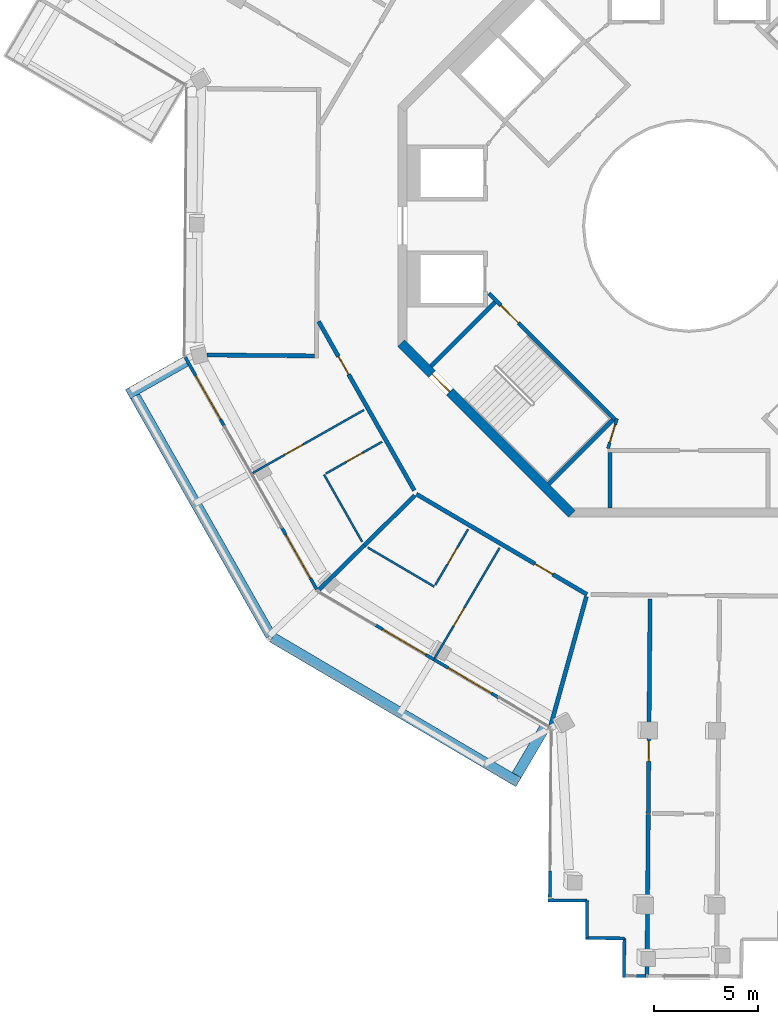
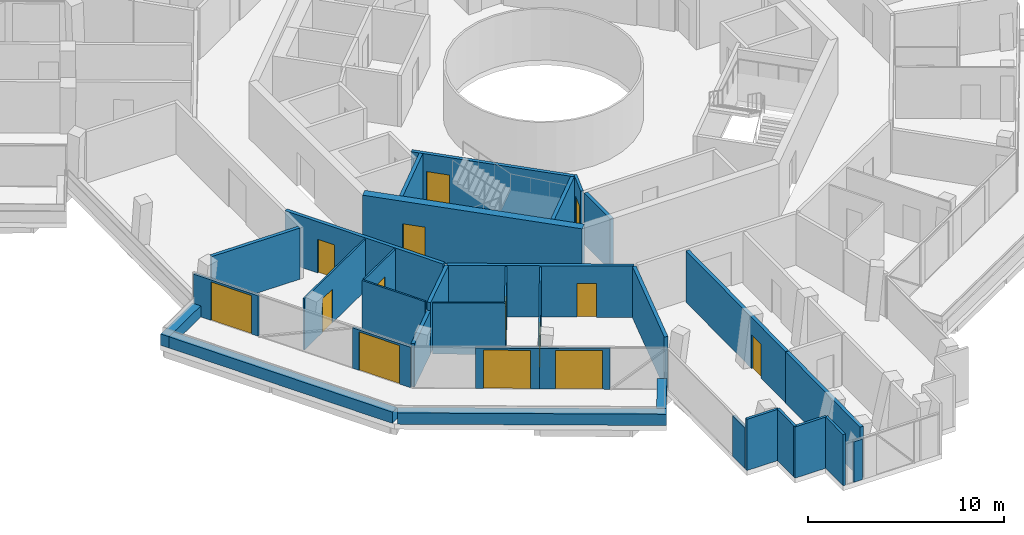
# One storey, part 16 of 24: 34 walls, 14 doors, 14 openings.
"""IFC4 building model written with IfcOpenShell, lengths in metres."""

from ifc_helpers import new_model, si_unit, direction, frame, frame_2d, origin, place, context, subcontext, project, spatial, rectangle, extrude, material, layer, layer_set, type_object, element, fill, save


model = new_model("IFC4")

# Units and contexts
model_context = context("Model", 3, precision=1e-05, world=origin(), true_north=direction((0.0, 1.0)))
body_context = subcontext(model_context, "Body", "Model", "MODEL_VIEW")
ifc_project = project(units=[si_unit("LENGTHUNIT", "METRE"), si_unit("AREAUNIT", "SQUARE_METRE"), si_unit("VOLUMEUNIT", "CUBIC_METRE"), si_unit("PLANEANGLEUNIT", "RADIAN"), si_unit("MASSUNIT", "GRAM", prefix="KILO")], contexts=[model_context])

# Site, building, storey
site_placement = place(None, origin())
site = spatial("IfcSite", under=ifc_project, at=site_placement, CompositionType="ELEMENT")
building_placement = place(site_placement, origin())
building = spatial("IfcBuilding", under=site, at=building_placement, Name="Verdalira Terraces Hotel", CompositionType="ELEMENT")
storey_placement = place(building_placement, frame((0.0, 0.0, 277.5)))
storey = spatial("IfcBuildingStorey", under=building, at=storey_placement, Name="L68", CompositionType="ELEMENT", Elevation=277.5)

# Walls
ifc_material_1 = material(Name="Concrete C40", Category="concrete")
ifc_layer_1 = layer(ifc_material_1, 0.5)
ifc_layer_set_1 = layer_set([ifc_layer_1], Name="Balcony planter trough with tree")
wall_type_1 = type_object("IfcWallType", Name="Balcony planter trough with tree", PredefinedType="SOLIDWALL", material=ifc_layer_set_1)
wall_1_placement = place(storey_placement, frame((-24.189697, -6.514648, 0.0), z_axis=(0.0, 0.0, 1.0), x_axis=(-0.870190179, -0.492715997, 0.0)))
element("IfcWall", 1, at=wall_1_placement, inside=storey, type_object=wall_type_1, Name="Balcony planter", PredefinedType="SOLIDWALL", context=body_context, shape_type="SweptSolid", body=[
    extrude(rectangle(XDim=3.198975, YDim=0.5, at=frame_2d((1.599609, 0.0))), origin(), (0.0, 0.0, 1.0), 0.699951),
])
wall_2_placement = place(storey_placement, frame((-26.632568, -8.185303, 0.0), z_axis=(0.0, 0.0, 1.0), x_axis=(0.492731181, -0.870181581, 0.0)))
element("IfcWall", 2, at=wall_2_placement, inside=storey, type_object=wall_type_1, Name="Balcony planter", PredefinedType="SOLIDWALL", context=body_context, shape_type="SweptSolid", body=[
    extrude(rectangle(XDim=13.223389, YDim=0.5, at=frame_2d((6.611816, 0.0))), origin(), (0.0, 0.0, 1.0), 0.699951),
])
wall_3_placement = place(storey_placement, frame((-20.026367, -19.78418, 0.0), z_axis=(0.0, 0.0, 1.0), x_axis=(0.861801103, -0.507246349, 0.0)))
element("IfcWall", 3, at=wall_3_placement, inside=storey, type_object=wall_type_1, Name="Balcony planter", PredefinedType="SOLIDWALL", context=body_context, shape_type="SweptSolid", body=[
    extrude(rectangle(XDim=13.723389, YDim=0.5, at=frame_2d((6.861816, 0.0))), origin(), (0.0, 0.0, 1.0), 0.699951),
])
wall_4_placement = place(storey_placement, frame((-8.288086, -26.403076, 0.0), z_axis=(0.0, 0.0, 1.0), x_axis=(0.507281009, 0.861780702, 0.0)))
element("IfcWall", 4, at=wall_4_placement, inside=storey, type_object=wall_type_1, Name="Balcony planter", PredefinedType="SOLIDWALL", context=body_context, shape_type="SweptSolid", body=[
    extrude(rectangle(XDim=2.698975, YDim=0.5, at=frame_2d((1.349609, 0.0))), origin(), (0.0, 0.0, 1.0), 0.699951),
])

# Wall, opening, door
ifc_material_2 = material(Name="Moisture-resistant gypsum board partition")
ifc_layer_2 = layer(ifc_material_2, 0.10009765625)
ifc_layer_set_2 = layer_set([ifc_layer_2], Name="Bathroom partition 100 mm")
wall_type_2 = type_object("IfcWallType", Name="Bathroom partition 100 mm", PredefinedType="PARTITIONING", material=ifc_layer_set_2)
wall_5_placement = place(storey_placement, frame((-15.626953, -8.848633, 0.0), z_axis=(0.0, 0.0, 1.0), x_axis=(-0.870190704, -0.492715069, 0.0)))
wall_5 = element("IfcWall", 5, at=wall_5_placement, inside=storey, type_object=wall_type_2, Name="Bathroom partition", PredefinedType="PARTITIONING", context=body_context, shape_type="SweptSolid", body=[
    extrude(rectangle(XDim=6.150146, YDim=0.100098, at=frame_2d((3.075195, 0.0))), origin(), (0.0, 0.0, 1.0), 3.189941),
])
opening_1_placement = place(wall_5_placement, frame((3.350098, 0.0, 0.0)))
opening_1 = element("IfcOpeningElement", 6, at=opening_1_placement, cuts=wall_5, Name="Opening L68-106", PredefinedType="OPENING", context=body_context, shape_type="SweptSolid", body=[
    extrude(rectangle(XDim=1.0, YDim=2.100098, at=frame_2d((0.5, 1.050049))), frame((0.0, 0.060059, 0.0), z_axis=(0.0, -1.0, 0.0), x_axis=(1.0, 0.0, 0.0)), (0.0, 0.0, 1.0), 0.120117),
])
ifc_material_3 = material(Name="Timber door", Category="wood")
door_type_1 = type_object("IfcDoorType", Name="Suite internal door 1000 x 2100", OperationType="NOTDEFINED", PredefinedType="DOOR", material=ifc_material_3)
door_1_placement = place(opening_1_placement, origin())
door_1 = element("IfcDoor", 7, at=door_1_placement, inside=storey, type_object=door_type_1, Name="Suite internal door 6802", OperationType="SINGLE_SWING_LEFT", OverallHeight=2.10009765625, OverallWidth=1.0, PredefinedType="DOOR", context=body_context, shape_type="SweptSolid", body=[
    extrude(rectangle(XDim=1.0, YDim=2.100098, at=frame_2d((0.5, 1.050049))), frame((0.0, 0.024902, 0.0), z_axis=(0.0, -1.0, 0.0), x_axis=(1.0, 0.0, 0.0)), (0.0, 0.0, 1.0), 0.050049),
])
fill(opening_1, door_1)

# Wall
wall_6_placement = place(storey_placement, frame((-17.54541, -11.955322, 0.0), z_axis=(0.0, 0.0, 1.0), x_axis=(0.492756443, -0.870167276, 0.0)))
element("IfcWall", 8, at=wall_6_placement, inside=storey, type_object=wall_type_2, Name="Bathroom partition", PredefinedType="PARTITIONING", context=body_context, shape_type="SweptSolid", body=[
    extrude(rectangle(XDim=3.704102, YDim=0.100098, at=frame_2d((1.852051, 0.0))), origin(), (0.0, 0.0, 1.0), 3.189941),
])

# Wall, opening, door
wall_7_placement = place(storey_placement, frame((-14.760742, -10.378662, 0.0), z_axis=(0.0, 0.0, 1.0), x_axis=(-0.870194419, -0.492708506, 0.0)))
wall_7 = element("IfcWall", 9, at=wall_7_placement, inside=storey, type_object=wall_type_2, Name="Bathroom partition", PredefinedType="PARTITIONING", context=body_context, shape_type="SweptSolid", body=[
    extrude(rectangle(XDim=3.099854, YDim=0.100098, at=frame_2d((1.549805, 0.0))), origin(), (0.0, 0.0, 1.0), 3.189941),
])
opening_2_placement = place(wall_7_placement, frame((1.050049, 0.0, 0.0)))
opening_2 = element("IfcOpeningElement", 10, at=opening_2_placement, cuts=wall_7, Name="Opening L68-107", PredefinedType="OPENING", context=body_context, shape_type="SweptSolid", body=[
    extrude(rectangle(XDim=0.899902, YDim=2.100098, at=frame_2d((0.449951, 1.050049))), frame((0.0, 0.060059, 0.0), z_axis=(0.0, -1.0, 0.0), x_axis=(1.0, 0.0, 0.0)), (0.0, 0.0, 1.0), 0.120117),
])
ifc_material_4 = material(Name="Timber door", Category="wood")
door_type_2 = type_object("IfcDoorType", Name="Bathroom door 900 x 2100", OperationType="NOTDEFINED", PredefinedType="DOOR", material=ifc_material_4)
door_2_placement = place(opening_2_placement, origin())
door_2 = element("IfcDoor", 11, at=door_2_placement, inside=storey, type_object=door_type_2, Name="Bathroom door 6802", OperationType="SINGLE_SWING_RIGHT", OverallHeight=2.10009765625, OverallWidth=0.89990234375, PredefinedType="DOOR", context=body_context, shape_type="SweptSolid", body=[
    extrude(rectangle(XDim=0.899902, YDim=2.100098, at=frame_2d((0.449951, 1.050049))), frame((0.0, 0.024902, 0.0), z_axis=(0.0, -1.0, 0.0), x_axis=(1.0, 0.0, 0.0)), (0.0, 0.0, 1.0), 0.050049),
])
fill(opening_2, door_2)

# Wall
wall_8_placement = place(storey_placement, frame((-15.445801, -15.460205, 0.0), z_axis=(0.0, 0.0, 1.0), x_axis=(0.861815808, -0.507221365, 0.0)))
element("IfcWall", 12, at=wall_8_placement, inside=storey, type_object=wall_type_2, Name="Bathroom partition", PredefinedType="PARTITIONING", context=body_context, shape_type="SweptSolid", body=[
    extrude(rectangle(XDim=3.710938, YDim=0.100098, at=frame_2d((1.855469, 0.0))), origin(), (0.0, 0.0, 1.0), 3.189941),
])

# Wall, opening, door
wall_9_placement = place(storey_placement, frame((-12.197021, -17.256348, 0.0), z_axis=(0.0, 0.0, 1.0), x_axis=(0.5072507, 0.861798542, 0.0)))
wall_9 = element("IfcWall", 13, at=wall_9_placement, inside=storey, type_object=wall_type_2, Name="Bathroom partition", PredefinedType="PARTITIONING", context=body_context, shape_type="SweptSolid", body=[
    extrude(rectangle(XDim=3.100098, YDim=0.100098, at=frame_2d((1.550049, 0.0))), origin(), (0.0, 0.0, 1.0), 3.189941),
])
opening_3_placement = place(wall_9_placement, frame((1.149902, 0.0, 0.0)))
opening_3 = element("IfcOpeningElement", 14, at=opening_3_placement, cuts=wall_9, Name="Opening L68-110", PredefinedType="OPENING", context=body_context, shape_type="SweptSolid", body=[
    extrude(rectangle(XDim=0.899902, YDim=2.100098, at=frame_2d((0.449951, 1.050049))), frame((0.0, 0.060059, 0.0), z_axis=(0.0, -1.0, 0.0), x_axis=(1.0, 0.0, 0.0)), (0.0, 0.0, 1.0), 0.120117),
])
door_3_placement = place(opening_3_placement, origin())
door_3 = element("IfcDoor", 15, at=door_3_placement, inside=storey, type_object=door_type_2, Name="Bathroom door 6803", OperationType="SINGLE_SWING_LEFT", OverallHeight=2.10009765625, OverallWidth=0.89990234375, PredefinedType="DOOR", context=body_context, shape_type="SweptSolid", body=[
    extrude(rectangle(XDim=0.899902, YDim=2.100098, at=frame_2d((0.449951, 1.050049))), frame((0.0, 0.024902, 0.0), z_axis=(0.0, -1.0, 0.0), x_axis=(1.0, 0.0, 0.0)), (0.0, 0.0, 1.0), 0.050049),
])
fill(opening_3, door_3)

wall_10_placement = place(storey_placement, frame((-12.22876, -20.776611, 0.0), z_axis=(0.0, 0.0, 1.0), x_axis=(0.507256048, 0.861795394, 0.0)))
wall_10 = element("IfcWall", 16, at=wall_10_placement, inside=storey, type_object=wall_type_2, Name="Bathroom partition", PredefinedType="PARTITIONING", context=body_context, shape_type="SweptSolid", body=[
    extrude(rectangle(XDim=6.149902, YDim=0.100098, at=frame_2d((3.074951, 0.0))), origin(), (0.0, 0.0, 1.0), 3.189941),
])
opening_4_placement = place(wall_10_placement, frame((1.800049, 0.0, 0.0)))
opening_4 = element("IfcOpeningElement", 17, at=opening_4_placement, cuts=wall_10, Name="Opening L68-109", PredefinedType="OPENING", context=body_context, shape_type="SweptSolid", body=[
    extrude(rectangle(XDim=1.0, YDim=2.100098, at=frame_2d((0.5, 1.050049))), frame((0.0, 0.060059, 0.0), z_axis=(0.0, -1.0, 0.0), x_axis=(1.0, 0.0, 0.0)), (0.0, 0.0, 1.0), 0.120117),
])
door_4_placement = place(opening_4_placement, origin())
door_4 = element("IfcDoor", 18, at=door_4_placement, inside=storey, type_object=door_type_1, Name="Suite internal door 6803", OperationType="SINGLE_SWING_LEFT", OverallHeight=2.10009765625, OverallWidth=1.0, PredefinedType="DOOR", context=body_context, shape_type="SweptSolid", body=[
    extrude(rectangle(XDim=1.0, YDim=2.100098, at=frame_2d((0.5, 1.050049))), frame((0.0, 0.024902, 0.0), z_axis=(0.0, -1.0, 0.0), x_axis=(1.0, 0.0, 0.0)), (0.0, 0.0, 1.0), 0.050049),
])
fill(opening_4, door_4)

# Wall
ifc_material_5 = material(Name="Concrete C50", Category="concrete")
ifc_layer_3 = layer(ifc_material_5, 0.199951171875)
ifc_layer_set_3 = layer_set([ifc_layer_3], Name="Core RC wall 200 C50")
wall_type_3 = type_object("IfcWallType", Name="Core RC wall 200 C50", PredefinedType="SOLIDWALL", material=ifc_layer_set_3)
wall_11_placement = place(storey_placement, frame((-3.800049, -10.899902, 0.0), z_axis=(0.0, 0.0, 1.0), x_axis=(0.0, -1.0, 0.0)))
element("IfcWall", 19, at=wall_11_placement, inside=storey, type_object=wall_type_3, Name="L68 store side wall", PredefinedType="SOLIDWALL", context=body_context, shape_type="SweptSolid", body=[
    extrude(rectangle(XDim=2.650146, YDim=0.199951, at=frame_2d((1.325195, 0.0))), origin(), (0.0, 0.0, 1.0), 3.189941),
])

# Wall, opening, door
wall_12_placement = place(storey_placement, frame((-3.5354, -9.33374, 0.0), z_axis=(0.0, 0.0, 1.0), x_axis=(-0.707120946, 0.707092617, 0.0)))
wall_12 = element("IfcWall", 20, at=wall_12_placement, inside=storey, type_object=wall_type_3, Name="L68 stair ST2 front wall", PredefinedType="SOLIDWALL", context=body_context, shape_type="SweptSolid", body=[
    extrude(rectangle(XDim=8.61792, YDim=0.199951, at=frame_2d((4.309082, 0.0))), origin(), (0.0, 0.0, 1.0), 3.189941),
])
opening_5_placement = place(wall_12_placement, frame((6.600098, 0.0, 0.0)))
opening_5 = element("IfcOpeningElement", 21, at=opening_5_placement, cuts=wall_12, Name="Opening L68-811", PredefinedType="OPENING", context=body_context, shape_type="SweptSolid", body=[
    extrude(rectangle(XDim=1.199951, YDim=2.100098, at=frame_2d((0.600098, 1.050049))), frame((0.0, 0.109863, 0.0), z_axis=(0.0, -1.0, 0.0), x_axis=(1.0, 0.0, 0.0)), (0.0, 0.0, 1.0), 0.219971),
])
ifc_material_6 = material(Name="Steel fire door", Category="steel")
door_type_3 = type_object("IfcDoorType", Name="Stair door 1200 x 2100", OperationType="NOTDEFINED", PredefinedType="DOOR", material=ifc_material_6)
door_5_placement = place(opening_5_placement, origin())
door_5 = element("IfcDoor", 22, at=door_5_placement, inside=storey, type_object=door_type_3, Name="Stair door ST2 L68", OperationType="SINGLE_SWING_RIGHT", OverallHeight=2.10009765625, OverallWidth=1.199951171875, PredefinedType="DOOR", context=body_context, shape_type="SweptSolid", body=[
    extrude(rectangle(XDim=1.199951, YDim=2.100098, at=frame_2d((0.600098, 1.050049))), frame((0.0, 0.024902, 0.0), z_axis=(0.0, -1.0, 0.0), x_axis=(1.0, 0.0, 0.0)), (0.0, 0.0, 1.0), 0.050049),
])
fill(opening_5, door_5)

# Walls
for number, where, z_axis, x_axis, name in (
    (23, (-9.33374, -3.677002, 0.0), (0.0, 0.0, 1.0), (-0.707106781, -0.707106781, 0.0), "L68 stair ST2 end wall 1"),
    (24, (-3.677002, -9.33374, 0.0), (0.0, 0.0, 1.0), (-0.707106781, -0.707106781, 0.0), "L68 stair ST2 end wall 2"),
):
    element("IfcWall", number, at=place(storey_placement, frame(where, z_axis=z_axis, x_axis=x_axis)), inside=storey, type_object=wall_type_3, Name=name, PredefinedType="SOLIDWALL", context=body_context, shape_type="SweptSolid", body=[
        extrude(rectangle(XDim=4.350098, YDim=0.199951, at=frame_2d((2.175049, 0.0))), origin(), (0.0, 0.0, 1.0), 3.189941),
    ])

# Wall, opening, door
ifc_material_7 = material(Name="Gypsum board partition")
ifc_layer_4 = layer(ifc_material_7, 0.14990234375)
ifc_layer_set_4 = layer_set([ifc_layer_4], Name="Core partition 150 mm")
wall_type_4 = type_object("IfcWallType", Name="Core partition 150 mm", PredefinedType="PARTITIONING", material=ifc_layer_set_4)
wall_13_placement = place(storey_placement, frame((-3.464844, -9.263184, 0.0), z_axis=(0.0, 0.0, 1.0), x_axis=(-0.289808785, -0.957084567, 0.0)))
wall_13 = element("IfcWall", 25, at=wall_13_placement, inside=storey, type_object=wall_type_4, Name="Room partition L68", PredefinedType="PARTITIONING", context=body_context, shape_type="SweptSolid", body=[
    extrude(rectangle(XDim=1.501221, YDim=0.149902, at=frame_2d((0.750488, 0.0))), origin(), (0.0, 0.0, 1.0), 3.189941),
])
opening_6_placement = place(wall_13_placement, frame((0.300781, 0.0, 0.0)))
opening_6 = element("IfcOpeningElement", 26, at=opening_6_placement, cuts=wall_13, Name="Opening L68-822", PredefinedType="OPENING", context=body_context, shape_type="SweptSolid", body=[
    extrude(rectangle(XDim=0.899902, YDim=2.100098, at=frame_2d((0.449951, 1.050049))), frame((0.0, 0.084961, 0.0), z_axis=(0.0, -1.0, 0.0), x_axis=(1.0, 0.0, 0.0)), (0.0, 0.0, 1.0), 0.169922),
])
ifc_material_8 = material(Name="Steel fire door", Category="steel")
door_type_4 = type_object("IfcDoorType", Name="Core room door 900 x 2100", OperationType="NOTDEFINED", PredefinedType="DOOR", material=ifc_material_8)
door_6_placement = place(opening_6_placement, origin())
door_6 = element("IfcDoor", 27, at=door_6_placement, inside=storey, type_object=door_type_4, Name="Door L68 room5", OperationType="SINGLE_SWING_LEFT", OverallHeight=2.10009765625, OverallWidth=0.89990234375, PredefinedType="DOOR", context=body_context, shape_type="SweptSolid", body=[
    extrude(rectangle(XDim=0.899902, YDim=2.100098, at=frame_2d((0.449951, 1.050049))), frame((0.0, 0.024902, 0.0), z_axis=(0.0, -1.0, 0.0), x_axis=(1.0, 0.0, 0.0)), (0.0, 0.0, 1.0), 0.050049),
])
fill(opening_6, door_6)

ifc_material_9 = material(Name="Concrete C50", Category="concrete")
ifc_layer_5 = layer(ifc_material_9, 0.449951171875)
ifc_layer_set_5 = layer_set([ifc_layer_5], Name="Core wall 450 C50")
wall_type_5 = type_object("IfcWallType", Name="Core wall 450 C50", PredefinedType="SHEAR", material=ifc_layer_set_5)
wall_14_placement = place(storey_placement, frame((-13.84082, -5.639893, 0.0), z_axis=(0.0, 0.0, 1.0), x_axis=(0.707106781, -0.707106781, 0.0)))
wall_14 = element("IfcWall", 28, at=wall_14_placement, inside=storey, type_object=wall_type_5, Name="Core wall CW-L68-6", PredefinedType="SHEAR", context=body_context, shape_type="SweptSolid", body=[
    extrude(rectangle(XDim=11.5979, YDim=0.449951, at=frame_2d((5.798828, 0.0))), origin(), (0.0, 0.0, 1.0), 3.5),
])
opening_7_placement = place(wall_14_placement, frame((2.099121, 0.0, 0.0)))
opening_7 = element("IfcOpeningElement", 29, at=opening_7_placement, cuts=wall_14, Name="Opening L68-817", PredefinedType="OPENING", context=body_context, shape_type="SweptSolid", body=[
    extrude(rectangle(XDim=1.199951, YDim=2.100098, at=frame_2d((0.600098, 1.050049))), frame((0.0, 0.234863, 0.0), z_axis=(0.0, -1.0, 0.0), x_axis=(1.0, 0.0, 0.0)), (0.0, 0.0, 1.0), 0.469971),
])
door_7_placement = place(opening_7_placement, origin())
door_7 = element("IfcDoor", 30, at=door_7_placement, inside=storey, type_object=door_type_3, Name="Stair exit door ST2 L68", OperationType="SINGLE_SWING_LEFT", OverallHeight=2.10009765625, OverallWidth=1.199951171875, PredefinedType="DOOR", context=body_context, shape_type="SweptSolid", body=[
    extrude(rectangle(XDim=1.199951, YDim=2.100098, at=frame_2d((0.600098, 1.050049))), frame((0.0, 0.024902, 0.0), z_axis=(0.0, -1.0, 0.0), x_axis=(1.0, 0.0, 0.0)), (0.0, 0.0, 1.0), 0.050049),
])
fill(opening_7, door_7)

# Walls
ifc_material_10 = material(Name="Fire-rated gypsum board wall")
ifc_layer_6 = layer(ifc_material_10, 0.199951171875)
ifc_layer_set_6 = layer_set([ifc_layer_6], Name="Demising wall 200 mm")
wall_type_6 = type_object("IfcWallType", Name="Demising wall 200 mm", PredefinedType="SOLIDWALL", material=ifc_layer_set_6)
wall_15_placement = place(storey_placement, frame((-13.182373, -12.963135, 0.0), z_axis=(0.0, 0.0, 1.0), x_axis=(-0.71297783, -0.701186576, 0.0)))
element("IfcWall", 31, at=wall_15_placement, inside=storey, type_object=wall_type_6, Name="Demising wall", PredefinedType="SOLIDWALL", context=body_context, shape_type="SweptSolid", body=[
    extrude(rectangle(XDim=3.41626, YDim=0.199951, at=frame_2d((1.708008, 0.0))), origin(), (0.0, 0.0, 1.0), 3.189941),
])
wall_16_placement = place(storey_placement, frame((-6.663086, -24.058594, 0.0), z_axis=(0.0, 0.0, 1.0), x_axis=(0.266914636, 0.963720176, 0.0)))
element("IfcWall", 32, at=wall_16_placement, inside=storey, type_object=wall_type_6, Name="Demising wall", PredefinedType="SOLIDWALL", context=body_context, shape_type="SweptSolid", body=[
    extrude(rectangle(XDim=6.47583, YDim=0.199951, at=frame_2d((3.237793, 0.0))), origin(), (0.0, 0.0, 1.0), 3.189941),
])
wall_17_placement = place(storey_placement, frame((-1.960205, -28.291016, 0.0), z_axis=(0.0, 0.0, 1.0), x_axis=(-0.008349711, -0.999965141, 0.0)))
element("IfcWall", 33, at=wall_17_placement, inside=storey, type_object=wall_type_6, Name="Demising wall", PredefinedType="SOLIDWALL", context=body_context, shape_type="SweptSolid", body=[
    extrude(rectangle(XDim=7.689941, YDim=0.199951, at=frame_2d((3.844971, 0.0))), origin(), (0.0, 0.0, 1.0), 3.189941),
])

# Wall, opening, door
wall_18_placement = place(storey_placement, frame((-1.959717, -28.244873, 0.0), z_axis=(0.0, 0.0, 1.0), x_axis=(0.008389324, 0.999964809, 0.0)))
wall_18 = element("IfcWall", 34, at=wall_18_placement, inside=storey, type_object=wall_type_6, Name="Demising wall", PredefinedType="SOLIDWALL", context=body_context, shape_type="SweptSolid", body=[
    extrude(rectangle(XDim=10.301758, YDim=0.199951, at=frame_2d((5.150879, 0.0))), origin(), (0.0, 0.0, 1.0), 3.189941),
])
opening_8_placement = place(wall_18_placement, frame((2.5, 0.0, 0.0)))
opening_8 = element("IfcOpeningElement", 35, at=opening_8_placement, cuts=wall_18, Name="Opening L68-112", PredefinedType="OPENING", context=body_context, shape_type="SweptSolid", body=[
    extrude(rectangle(XDim=1.0, YDim=2.100098, at=frame_2d((0.5, 1.050049))), frame((0.0, 0.109863, 0.0), z_axis=(0.0, -1.0, 0.0), x_axis=(1.0, 0.0, 0.0)), (0.0, 0.0, 1.0), 0.219971),
])
ifc_material_11 = material(Name="Timber fire door", Category="wood")
door_type_5 = type_object("IfcDoorType", Name="Public room door 1000 x 2100", OperationType="NOTDEFINED", PredefinedType="DOOR", material=ifc_material_11)
door_8_placement = place(opening_8_placement, origin())
door_8 = element("IfcDoor", 36, at=door_8_placement, inside=storey, type_object=door_type_5, Name="Public room door 6804", OperationType="SINGLE_SWING_LEFT", OverallHeight=2.10009765625, OverallWidth=1.0, PredefinedType="DOOR", context=body_context, shape_type="SweptSolid", body=[
    extrude(rectangle(XDim=1.0, YDim=2.100098, at=frame_2d((0.5, 1.050049))), frame((0.0, 0.024902, 0.0), z_axis=(0.0, -1.0, 0.0), x_axis=(1.0, 0.0, 0.0)), (0.0, 0.0, 1.0), 0.050049),
])
fill(opening_8, door_8)

# Wall
ifc_material_12 = material(Name="Fire-rated gypsum board wall")
ifc_layer_7 = layer(ifc_material_12, 0.199951171875)
ifc_layer_set_7 = layer_set([ifc_layer_7], Name="Demising wall 200 mm to beam soffit")
wall_type_7 = type_object("IfcWallType", Name="Demising wall 200 mm to beam soffit", PredefinedType="SOLIDWALL", material=ifc_layer_set_7)
wall_19_placement = place(storey_placement, frame((-15.618164, -15.358643, 0.0), z_axis=(0.0, 0.0, 1.0), x_axis=(-0.71298711, -0.701177139, 0.0)))
element("IfcWall", 37, at=wall_19_placement, inside=storey, type_object=wall_type_7, Name="Demising wall", PredefinedType="SOLIDWALL", context=body_context, shape_type="SweptSolid", body=[
    extrude(rectangle(XDim=3.05957, YDim=0.199951, at=frame_2d((1.529785, 0.0))), origin(), (0.0, 0.0, 1.0), 2.689941),
])

# Wall, opening, door
ifc_material_13 = material(Name="Fire-rated gypsum board wall")
ifc_layer_8 = layer(ifc_material_13, 0.199951171875)
ifc_layer_set_8 = layer_set([ifc_layer_8], Name="Guest corridor wall 200 mm")
wall_type_8 = type_object("IfcWallType", Name="Guest corridor wall 200 mm", PredefinedType="SOLIDWALL", material=ifc_layer_set_8)
wall_20_placement = place(storey_placement, frame((-13.207031, -12.716553, 0.0), z_axis=(0.0, 0.0, 1.0), x_axis=(-0.492724884, 0.870185146, 0.0)))
wall_20 = element("IfcWall", 38, at=wall_20_placement, inside=storey, type_object=wall_type_8, Name="Guest corridor wall", PredefinedType="SOLIDWALL", context=body_context, shape_type="SweptSolid", body=[
    extrude(rectangle(XDim=9.336426, YDim=0.199951, at=frame_2d((4.668213, 0.0))), origin(), (0.0, 0.0, 1.0), 3.189941),
])
opening_9_placement = place(wall_20_placement, frame((6.408203, 0.0, 0.0)))
opening_9 = element("IfcOpeningElement", 39, at=opening_9_placement, cuts=wall_20, Name="Opening L68-105", PredefinedType="OPENING", context=body_context, shape_type="SweptSolid", body=[
    extrude(rectangle(XDim=1.0, YDim=2.100098, at=frame_2d((0.5, 1.050049))), frame((0.0, 0.109863, 0.0), z_axis=(0.0, -1.0, 0.0), x_axis=(1.0, 0.0, 0.0)), (0.0, 0.0, 1.0), 0.219971),
])
ifc_material_14 = material(Name="Timber fire door", Category="wood")
door_type_6 = type_object("IfcDoorType", Name="Guest entry door 1000 x 2100", OperationType="NOTDEFINED", PredefinedType="DOOR", material=ifc_material_14)
door_9_placement = place(opening_9_placement, origin())
door_9 = element("IfcDoor", 40, at=door_9_placement, inside=storey, type_object=door_type_6, Name="Guest entry door 6802", OperationType="SINGLE_SWING_LEFT", OverallHeight=2.10009765625, OverallWidth=1.0, PredefinedType="DOOR", context=body_context, shape_type="SweptSolid", body=[
    extrude(rectangle(XDim=1.0, YDim=2.100098, at=frame_2d((0.5, 1.050049))), frame((0.0, 0.024902, 0.0), z_axis=(0.0, -1.0, 0.0), x_axis=(1.0, 0.0, 0.0)), (0.0, 0.0, 1.0), 0.050049),
])
fill(opening_9, door_9)

wall_21_placement = place(storey_placement, frame((-4.906982, -17.717773, 0.0), z_axis=(0.0, 0.0, 1.0), x_axis=(-0.861806246, 0.507237612, 0.0)))
wall_21 = element("IfcWall", 41, at=wall_21_placement, inside=storey, type_object=wall_type_8, Name="Guest corridor wall", PredefinedType="SOLIDWALL", context=body_context, shape_type="SweptSolid", body=[
    extrude(rectangle(XDim=9.516602, YDim=0.199951, at=frame_2d((4.758301, 0.0))), origin(), (0.0, 0.0, 1.0), 3.189941),
])
opening_10_placement = place(wall_21_placement, frame((1.899902, 0.0, 0.0)))
opening_10 = element("IfcOpeningElement", 42, at=opening_10_placement, cuts=wall_21, Name="Opening L68-108", PredefinedType="OPENING", context=body_context, shape_type="SweptSolid", body=[
    extrude(rectangle(XDim=1.0, YDim=2.100098, at=frame_2d((0.5, 1.050049))), frame((0.0, 0.109863, 0.0), z_axis=(0.0, -1.0, 0.0), x_axis=(1.0, 0.0, 0.0)), (0.0, 0.0, 1.0), 0.219971),
])
door_10_placement = place(opening_10_placement, origin())
door_10 = element("IfcDoor", 43, at=door_10_placement, inside=storey, type_object=door_type_6, Name="Guest entry door 6803", OperationType="SINGLE_SWING_LEFT", OverallHeight=2.10009765625, OverallWidth=1.0, PredefinedType="DOOR", context=body_context, shape_type="SweptSolid", body=[
    extrude(rectangle(XDim=1.0, YDim=2.100098, at=frame_2d((0.5, 1.050049))), frame((0.0, 0.024902, 0.0), z_axis=(0.0, -1.0, 0.0), x_axis=(1.0, 0.0, 0.0)), (0.0, 0.0, 1.0), 0.050049),
])
fill(opening_10, door_10)

# Walls
ifc_material_15 = material(Name="Terracotta cladding", Category="masonry")
ifc_layer_9 = layer(ifc_material_15, 0.199951171875)
ifc_layer_set_9 = layer_set([ifc_layer_9], Name="Loggia back wall 200")
wall_type_9 = type_object("IfcWallType", Name="Loggia back wall 200", PredefinedType="SOLIDWALL", material=ifc_layer_set_9)
wall_22_placement = place(storey_placement, frame((-23.179199, -6.206055, 0.0), z_axis=(0.0, 0.0, 1.0), x_axis=(0.999965043, -0.008361386, 0.0)))
element("IfcWall", 44, at=wall_22_placement, inside=storey, type_object=wall_type_9, Name="Loggia side wall", PredefinedType="SOLIDWALL", context=body_context, shape_type="SweptSolid", body=[
    extrude(rectangle(XDim=5.168213, YDim=0.199951, at=frame_2d((2.583984, 0.0))), origin(), (0.0, 0.0, 1.0), 3.189941),
])
ifc_material_16 = material(Name="Terracotta cladding", Category="masonry")
ifc_layer_10 = layer(ifc_material_16, 0.14990234375)
ifc_layer_set_10 = layer_set([ifc_layer_10], Name="Terracotta clad wall 150")
wall_type_10 = type_object("IfcWallType", Name="Terracotta clad wall 150", PredefinedType="SOLIDWALL", material=ifc_layer_set_10)
wall_23_placement = place(storey_placement, frame((-6.771729, -32.415771, 0.0), z_axis=(0.0, 0.0, 1.0), x_axis=(0.999965271, -0.008334129, 0.0)))
element("IfcWall", 45, at=wall_23_placement, inside=storey, type_object=wall_type_10, Name="Terracotta cladding wall", PredefinedType="SOLIDWALL", context=body_context, shape_type="SweptSolid", body=[
    extrude(rectangle(XDim=1.874756, YDim=0.149902, at=frame_2d((0.9375, 0.0))), origin(), (0.0, 0.0, 1.0), 3.189941),
])
wall_24_placement = place(storey_placement, frame((-4.896973, -32.431396, 0.0), z_axis=(0.0, 0.0, 1.0), x_axis=(-0.008273147, -0.999965777, 0.0)))
element("IfcWall", 46, at=wall_24_placement, inside=storey, type_object=wall_type_10, Name="Terracotta cladding wall", PredefinedType="SOLIDWALL", context=body_context, shape_type="SweptSolid", body=[
    extrude(rectangle(XDim=1.800049, YDim=0.149902, at=frame_2d((0.899902, 0.0))), origin(), (0.0, 0.0, 1.0), 3.189941),
])
wall_25_placement = place(storey_placement, frame((-4.987061, -34.230713, 0.0), z_axis=(0.0, 0.0, 1.0), x_axis=(0.999964186, -0.008463239, 0.0)))
element("IfcWall", 47, at=wall_25_placement, inside=storey, type_object=wall_type_10, Name="Terracotta cladding wall", PredefinedType="SOLIDWALL", context=body_context, shape_type="SweptSolid", body=[
    extrude(rectangle(XDim=1.875, YDim=0.149902, at=frame_2d((0.9375, 0.0))), origin(), (0.0, 0.0, 1.0), 3.189941),
])
wall_26_placement = place(storey_placement, frame((-3.112061, -34.246582, 0.0), z_axis=(0.0, 0.0, 1.0), x_axis=(-0.008334129, -0.999965271, 0.0)))
element("IfcWall", 48, at=wall_26_placement, inside=storey, type_object=wall_type_10, Name="Terracotta cladding wall", PredefinedType="SOLIDWALL", context=body_context, shape_type="SweptSolid", body=[
    extrude(rectangle(XDim=1.874756, YDim=0.149902, at=frame_2d((0.9375, 0.0))), origin(), (0.0, 0.0, 1.0), 3.189941),
])
ifc_material_17 = material(Name="Terracotta cladding", Category="masonry")
ifc_layer_11 = layer(ifc_material_17, 0.14990234375)
ifc_layer_set_11 = layer_set([ifc_layer_11], Name="Terracotta column pier 150")
wall_type_11 = type_object("IfcWallType", Name="Terracotta column pier 150", PredefinedType="SOLIDWALL", material=ifc_layer_set_11)
wall_27_placement = place(storey_placement, frame((-6.685059, -31.001465, 0.0), z_axis=(0.0, 0.0, 1.0), x_axis=(-0.008265769, -0.999965838, 0.0)))
element("IfcWall", 49, at=wall_27_placement, inside=storey, type_object=wall_type_11, Name="Terracotta column pier", PredefinedType="SOLIDWALL", context=body_context, shape_type="SweptSolid", body=[
    extrude(rectangle(XDim=1.27002, YDim=0.149902, at=frame_2d((0.63501, 0.0))), origin(), (0.0, 0.0, 1.0), 2.524902),
])
wall_28_placement = place(storey_placement, frame((-2.572021, -36.051025, 0.0), z_axis=(0.0, 0.0, 1.0), x_axis=(0.999962413, -0.008670194, 0.0)))
element("IfcWall", 50, at=wall_28_placement, inside=storey, type_object=wall_type_11, Name="Terracotta column pier", PredefinedType="SOLIDWALL", context=body_context, shape_type="SweptSolid", body=[
    extrude(rectangle(XDim=0.506836, YDim=0.149902, at=frame_2d((0.253418, 0.0))), origin(), (0.0, 0.0, 1.0), 2.524902),
])

# Wall, opening, door
ifc_material_18 = material(Name="Terracotta cladding", Category="masonry")
ifc_layer_12 = layer(ifc_material_18, 0.14990234375)
ifc_layer_set_12 = layer_set([ifc_layer_12], Name="Terracotta door pier 150")
wall_type_12 = type_object("IfcWallType", Name="Terracotta door pier 150", PredefinedType="SOLIDWALL", material=ifc_layer_set_12)
wall_29_placement = place(storey_placement, frame((-24.217041, -6.311768, 0.0), z_axis=(0.0, 0.0, 1.0), x_axis=(0.492706701, -0.870195442, 0.0)))
wall_29 = element("IfcWall", 51, at=wall_29_placement, inside=storey, type_object=wall_type_12, Name="Terracotta door pier", PredefinedType="SOLIDWALL", context=body_context, shape_type="SweptSolid", body=[
    extrude(rectangle(XDim=3.826904, YDim=0.149902, at=frame_2d((1.913574, 0.0))), origin(), (0.0, 0.0, 1.0), 2.524902),
])
opening_11_placement = place(wall_29_placement, frame((1.026855, 0.0, 0.0)))
opening_11 = element("IfcOpeningElement", 52, at=opening_11_placement, cuts=wall_29, Name="Opening L68-B04", PredefinedType="OPENING", context=body_context, shape_type="SweptSolid", body=[
    extrude(rectangle(XDim=2.399902, YDim=2.399902, at=frame_2d((1.199951, 1.199951))), frame((0.0, 0.084961, 0.0), z_axis=(0.0, -1.0, 0.0), x_axis=(1.0, 0.0, 0.0)), (0.0, 0.0, 1.0), 0.169922),
])
ifc_material_19 = material(Name="Clear glass", Category="glass")
door_type_7 = type_object("IfcDoorType", Name="Balcony sliding door 2400x2400", OperationType="NOTDEFINED", PredefinedType="DOOR", material=ifc_material_19)
door_11_placement = place(opening_11_placement, origin())
door_11 = element("IfcDoor", 53, at=door_11_placement, inside=storey, type_object=door_type_7, Name="Balcony sliding door", OperationType="SLIDING_TO_LEFT", OverallHeight=2.39990234375, OverallWidth=2.39990234375, PredefinedType="DOOR", context=body_context, shape_type="SweptSolid", body=[
    extrude(rectangle(XDim=2.399902, YDim=2.399902, at=frame_2d((1.199951, 1.199951))), frame((0.0, 0.024902, 0.0), z_axis=(0.0, -1.0, 0.0), x_axis=(1.0, 0.0, 0.0)), (0.0, 0.0, 1.0), 0.050049),
])
fill(opening_11, door_11)

wall_30_placement = place(storey_placement, frame((-19.579102, -14.50293, 0.0), z_axis=(0.0, 0.0, 1.0), x_axis=(0.492728526, -0.870183084, 0.0)))
wall_30 = element("IfcWall", 54, at=wall_30_placement, inside=storey, type_object=wall_type_12, Name="Terracotta door pier", PredefinedType="SOLIDWALL", context=body_context, shape_type="SweptSolid", body=[
    extrude(rectangle(XDim=3.426758, YDim=0.149902, at=frame_2d((1.713379, 0.0))), origin(), (0.0, 0.0, 1.0), 2.524902),
])
opening_12_placement = place(wall_30_placement, frame((0.399902, 0.0, 0.0)))
opening_12 = element("IfcOpeningElement", 55, at=opening_12_placement, cuts=wall_30, Name="Opening L68-B05", PredefinedType="OPENING", context=body_context, shape_type="SweptSolid", body=[
    extrude(rectangle(XDim=2.399902, YDim=2.399902, at=frame_2d((1.199951, 1.199951))), frame((0.0, 0.084961, 0.0), z_axis=(0.0, -1.0, 0.0), x_axis=(1.0, 0.0, 0.0)), (0.0, 0.0, 1.0), 0.169922),
])
door_12_placement = place(opening_12_placement, origin())
door_12 = element("IfcDoor", 56, at=door_12_placement, inside=storey, type_object=door_type_7, Name="Balcony sliding door", OperationType="SLIDING_TO_RIGHT", OverallHeight=2.39990234375, OverallWidth=2.39990234375, PredefinedType="DOOR", context=body_context, shape_type="SweptSolid", body=[
    extrude(rectangle(XDim=2.399902, YDim=2.399902, at=frame_2d((1.199951, 1.199951))), frame((0.0, 0.024902, 0.0), z_axis=(0.0, -1.0, 0.0), x_axis=(1.0, 0.0, 0.0)), (0.0, 0.0, 1.0), 0.050049),
])
fill(opening_12, door_12)

wall_31_placement = place(storey_placement, frame((-15.067627, -19.192871, 0.0), z_axis=(0.0, 0.0, 1.0), x_axis=(0.86182992, -0.507197387, 0.0)))
wall_31 = element("IfcWall", 57, at=wall_31_placement, inside=storey, type_object=wall_type_12, Name="Terracotta door pier", PredefinedType="SOLIDWALL", context=body_context, shape_type="SweptSolid", body=[
    extrude(rectangle(XDim=3.25, YDim=0.149902, at=frame_2d((1.625, 0.0))), origin(), (0.0, 0.0, 1.0), 2.524902),
])
opening_13_placement = place(wall_31_placement, frame((0.399902, 0.0, 0.0)))
opening_13 = element("IfcOpeningElement", 58, at=opening_13_placement, cuts=wall_31, Name="Opening L68-B06", PredefinedType="OPENING", context=body_context, shape_type="SweptSolid", body=[
    extrude(rectangle(XDim=2.399902, YDim=2.399902, at=frame_2d((1.199951, 1.199951))), frame((0.0, 0.084961, 0.0), z_axis=(0.0, -1.0, 0.0), x_axis=(1.0, 0.0, 0.0)), (0.0, 0.0, 1.0), 0.169922),
])
door_13_placement = place(opening_13_placement, origin())
door_13 = element("IfcDoor", 59, at=door_13_placement, inside=storey, type_object=door_type_7, Name="Balcony sliding door", OperationType="SLIDING_TO_RIGHT", OverallHeight=2.39990234375, OverallWidth=2.39990234375, PredefinedType="DOOR", context=body_context, shape_type="SweptSolid", body=[
    extrude(rectangle(XDim=2.399902, YDim=2.399902, at=frame_2d((1.199951, 1.199951))), frame((0.0, 0.024902, 0.0), z_axis=(0.0, -1.0, 0.0), x_axis=(1.0, 0.0, 0.0)), (0.0, 0.0, 1.0), 0.050049),
])
fill(opening_13, door_13)

wall_32_placement = place(storey_placement, frame((-12.266602, -20.841309, 0.0), z_axis=(0.0, 0.0, 1.0), x_axis=(0.861793405, -0.507259427, 0.0)))
wall_32 = element("IfcWall", 60, at=wall_32_placement, inside=storey, type_object=wall_type_12, Name="Terracotta door pier", PredefinedType="SOLIDWALL", context=body_context, shape_type="SweptSolid", body=[
    extrude(rectangle(XDim=3.611084, YDim=0.149902, at=frame_2d((1.805664, 0.0))), origin(), (0.0, 0.0, 1.0), 2.524902),
])
opening_14_placement = place(wall_32_placement, frame((0.811279, 0.0, 0.0)))
opening_14 = element("IfcOpeningElement", 61, at=opening_14_placement, cuts=wall_32, Name="Opening L68-B07", PredefinedType="OPENING", context=body_context, shape_type="SweptSolid", body=[
    extrude(rectangle(XDim=2.399902, YDim=2.399902, at=frame_2d((1.199951, 1.199951))), frame((0.0, 0.084961, 0.0), z_axis=(0.0, -1.0, 0.0), x_axis=(1.0, 0.0, 0.0)), (0.0, 0.0, 1.0), 0.169922),
])
door_14_placement = place(opening_14_placement, origin())
door_14 = element("IfcDoor", 62, at=door_14_placement, inside=storey, type_object=door_type_7, Name="Balcony sliding door", OperationType="SLIDING_TO_LEFT", OverallHeight=2.39990234375, OverallWidth=2.39990234375, PredefinedType="DOOR", context=body_context, shape_type="SweptSolid", body=[
    extrude(rectangle(XDim=2.399902, YDim=2.399902, at=frame_2d((1.199951, 1.199951))), frame((0.0, 0.024902, 0.0), z_axis=(0.0, -1.0, 0.0), x_axis=(1.0, 0.0, 0.0)), (0.0, 0.0, 1.0), 0.050049),
])
fill(opening_14, door_14)

save(model, "model.ifc")
